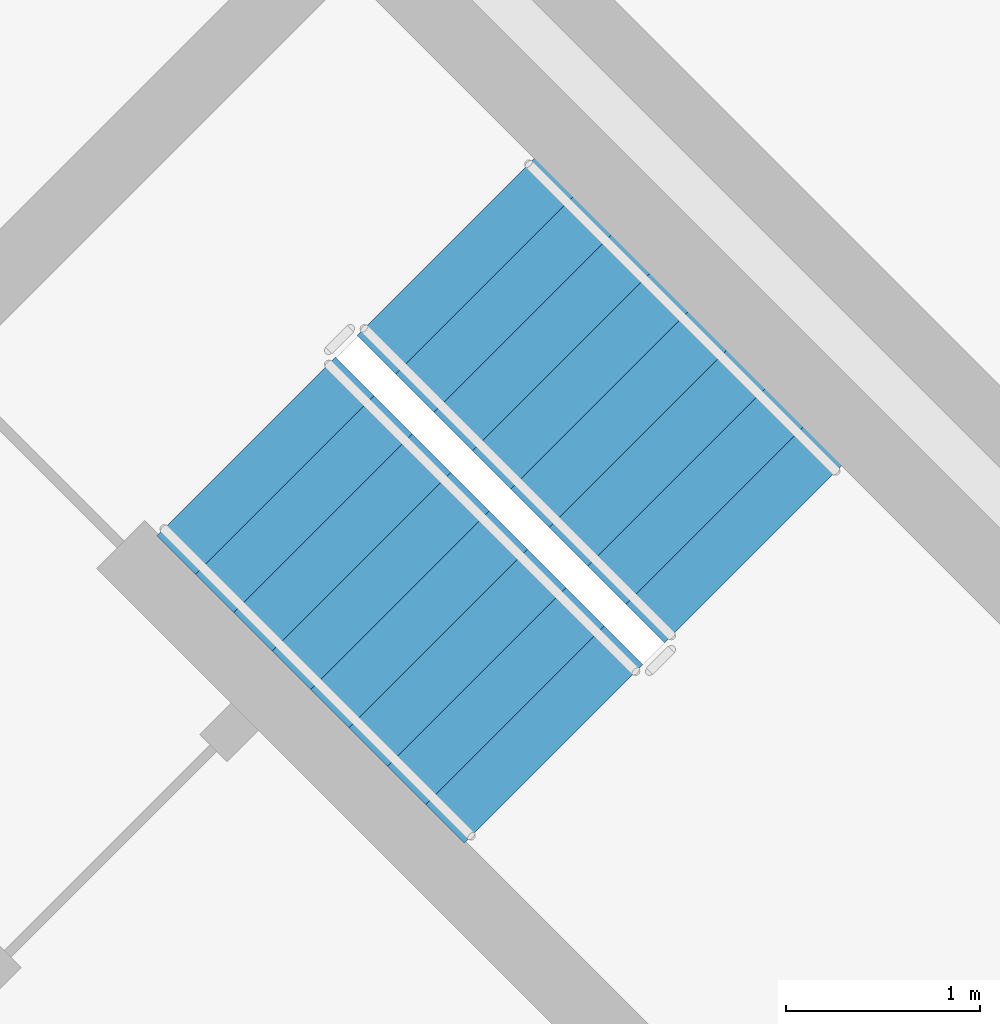
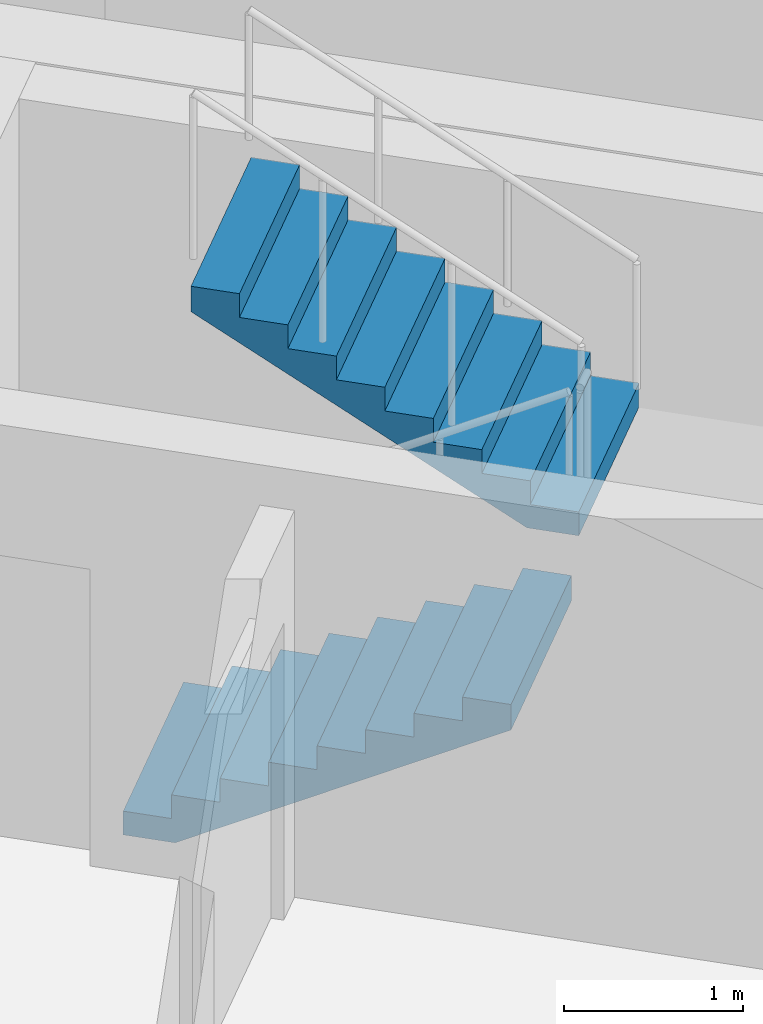
# One storey, part 15 of 17: 2 stair flights, 1 element without a shape of its own.
"""IFC4 building model written with IfcOpenShell, lengths in metres."""

from ifc_helpers import new_model, si_unit, direction, frame, origin, place, context, subcontext, project, spatial, polyline, outline, extrude, material, type_object, element, aggregate, save


model = new_model("IFC4")

# Units and contexts
model_context = context("Model", 3, precision=1e-05, world=origin(), true_north=direction((0.0, 1.0)))
body_context = subcontext(model_context, "Body", "Model", "MODEL_VIEW")
ifc_project = project(units=[si_unit("LENGTHUNIT", "METRE"), si_unit("AREAUNIT", "SQUARE_METRE"), si_unit("VOLUMEUNIT", "CUBIC_METRE"), si_unit("PLANEANGLEUNIT", "RADIAN"), si_unit("MASSUNIT", "GRAM", prefix="KILO")], contexts=[model_context])

# Site, building, storey
site_placement = place(None, origin())
site = spatial("IfcSite", under=ifc_project, at=site_placement, CompositionType="ELEMENT")
building_placement = place(site_placement, origin())
building = spatial("IfcBuilding", under=site, at=building_placement, Name="Cununo Teusaquillo Station Towers", CompositionType="ELEMENT")
storey_placement = place(building_placement, frame((0.0, 0.0, 27.820068359375)))
storey = spatial("IfcBuildingStorey", under=building, at=storey_placement, Name="L07", CompositionType="ELEMENT", Elevation=27.820068359375)

# Stair, stair flights
ifc_material_1 = material(Name="Concrete C50/60", Category="concrete")
stair_type = type_object("IfcStairType", Name="ST-TWR-1300", PredefinedType="HALF_TURN_STAIR", material=ifc_material_1)
stair_placement = place(storey_placement, origin())
stair = element("IfcStair", 1, at=stair_placement, inside=storey, type_object=stair_type, Name="L07 Tower B Protected Core Exit Stair 2", PredefinedType="HALF_TURN_STAIR")
ifc_material_2 = material(Name="Concrete C50/60", Category="concrete")
stair_flight_type = type_object("IfcStairFlightType", Name="SFL-TWR-1300", PredefinedType="STRAIGHT", material=ifc_material_2)
stair_flight_1_placement = place(storey_placement, frame((60.54052734375, 25.1787109375, 0.0), z_axis=(0.0, 0.0, 1.0), x_axis=(0.707106781187, -0.707106781187, 0.0)))
stair_flight_1 = element("IfcStairFlight", 2, at=stair_flight_1_placement, type_object=stair_flight_type, Name="ST-T2-2 flight 1", NumberOfRisers=9, NumberOfTreads=8, PredefinedType="STRAIGHT", RiserHeight=0.161666667, TreadLength=0.28, context=body_context, shape_type="SweptSolid", body=[
    extrude(outline(polyline([(0.0, 0.0), (0.0, 0.16162109375), (0.280029296875, 0.16162109375), (0.280029296875, 0.3232421875), (0.56005859375, 0.3232421875), (0.56005859375, 0.485107421875), (0.840087890625, 0.485107421875), (0.840087890625, 0.646728515625), (1.1201171875, 0.646728515625), (1.1201171875, 0.808349609375), (1.39990234375, 0.808349609375), (1.39990234375, 0.969970703125), (1.679931640625, 0.969970703125), (1.679931640625, 1.131591796875), (1.9599609375, 1.131591796875), (1.9599609375, 1.293212890625), (2.239990234375, 1.293212890625), (2.239990234375, 1.455078125), (2.239990234375, 1.1201171875), (0.2998046875, 0.0), (0.0, 0.0)])), frame((0.0, 0.64990234375, 0.0), z_axis=(0.0, -1.0, 0.0), x_axis=(1.0, 0.0, 0.0)), (0.0, 0.0, 1.0), 1.300048828125),
])
stair_flight_2_placement = place(storey_placement, frame((63.15673828125, 24.627197265625, 1.454833984375), z_axis=(0.0, 0.0, 1.0), x_axis=(-0.707106781187, 0.707106781187, 0.0)))
stair_flight_2 = element("IfcStairFlight", 3, at=stair_flight_2_placement, type_object=stair_flight_type, Name="ST-T2-2 flight 2", NumberOfRisers=9, NumberOfTreads=8, PredefinedType="STRAIGHT", RiserHeight=0.161666667, TreadLength=0.28, context=body_context, shape_type="SweptSolid", body=[
    extrude(outline(polyline([(0.0, 0.0), (0.0, 0.16162109375), (0.280029296875, 0.16162109375), (0.280029296875, 0.3232421875), (0.56005859375, 0.3232421875), (0.56005859375, 0.485107421875), (0.840087890625, 0.485107421875), (0.840087890625, 0.646728515625), (1.1201171875, 0.646728515625), (1.1201171875, 0.808349609375), (1.39990234375, 0.808349609375), (1.39990234375, 0.969970703125), (1.679931640625, 0.969970703125), (1.679931640625, 1.131591796875), (1.9599609375, 1.131591796875), (1.9599609375, 1.293212890625), (2.239990234375, 1.293212890625), (2.239990234375, 1.455078125), (2.239990234375, 1.1201171875), (0.2998046875, 0.0), (0.0, 0.0)])), frame((0.0, 0.64990234375, 0.0), z_axis=(0.0, -1.0, 0.0), x_axis=(1.0, 0.0, 0.0)), (0.0, 0.0, 1.0), 1.300048828125),
])
aggregate(stair, [stair_flight_1, stair_flight_2])

save(model, "model.ifc")
